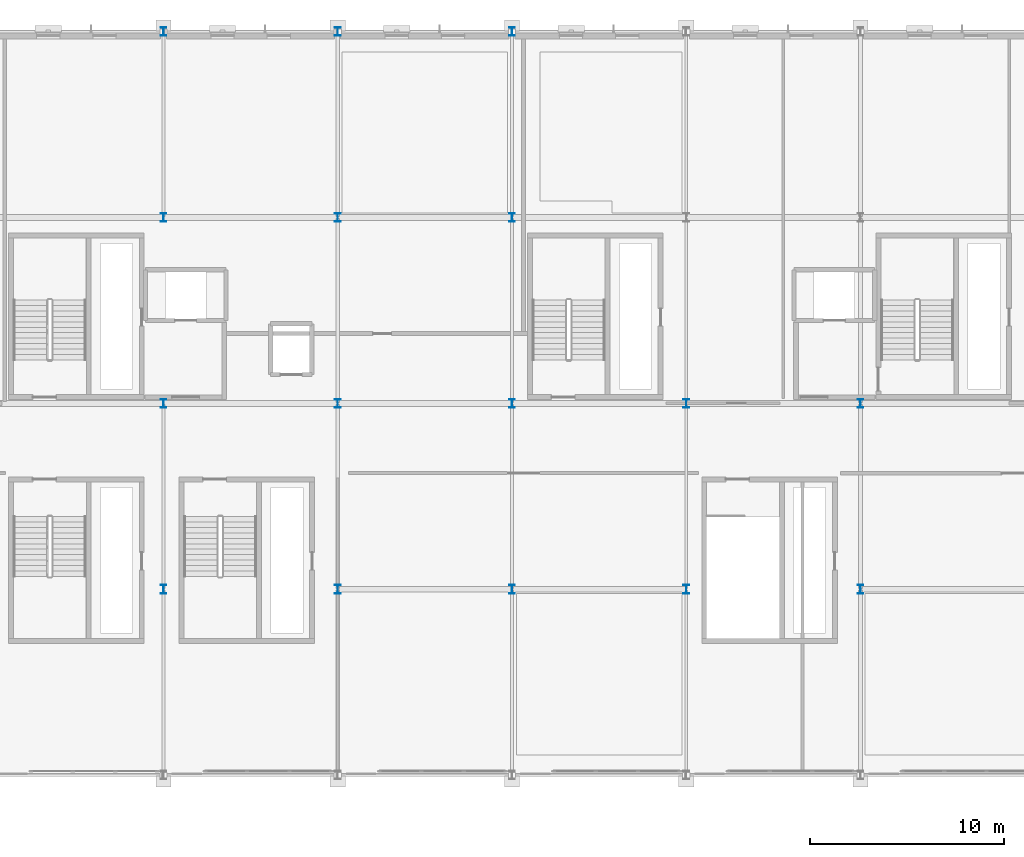
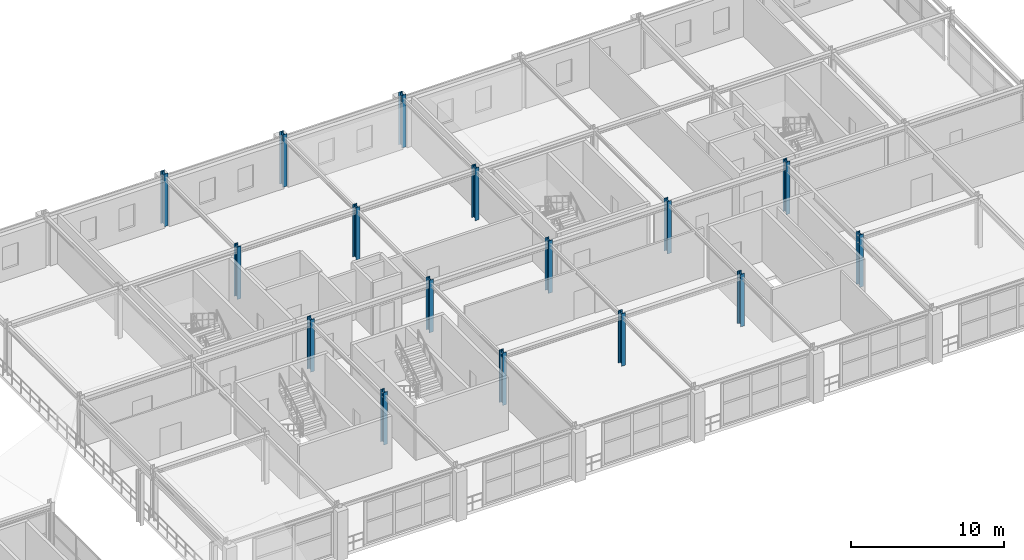
# One storey, part 14 of 81: 16 columns.
"""IFC4 building model written with IfcOpenShell, lengths in metres."""

from ifc_helpers import new_model, si_unit, direction, frame, origin, origin_2d, place, context, subcontext, project, spatial, i_section, extrude, material, material_profile, profile_set, type_object, element, save


model = new_model("IFC4")

# Units and contexts
model_context = context("Model", 3, precision=1e-05, world=origin(), true_north=direction((0.0, 1.0)))
body_context = subcontext(model_context, "Body", "Model", "MODEL_VIEW")
ifc_project = project(units=[si_unit("LENGTHUNIT", "METRE"), si_unit("AREAUNIT", "SQUARE_METRE"), si_unit("VOLUMEUNIT", "CUBIC_METRE"), si_unit("PLANEANGLEUNIT", "RADIAN"), si_unit("MASSUNIT", "GRAM", prefix="KILO")], contexts=[model_context])

# Site, building, storey
site_placement = place(None, origin())
site = spatial("IfcSite", under=ifc_project, at=site_placement, CompositionType="ELEMENT")
building_placement = place(site_placement, origin())
building = spatial("IfcBuilding", under=site, at=building_placement, Name="Myrtia Square Station", CompositionType="ELEMENT")
storey_placement = place(building_placement, frame((0.0, 0.0, 10.800048828125)))
storey = spatial("IfcBuildingStorey", under=building, at=storey_placement, Name="L02", CompositionType="ELEMENT", Elevation=10.800048828125)

# Columns
ifc_material = material(Name="Steel S355", Category="steel")
ifc_material_profile = material_profile(ifc_material, i_section(OverallWidth=0.300048828125, OverallDepth=0.449951171875, WebThickness=0.013916015625, FlangeThickness=0.02587890625, FilletRadius=0.027099609375, at=origin_2d()), Name="HEB 450")
ifc_profile_set = profile_set([ifc_material_profile], Name="Steel S355")
column_type = type_object("IfcColumnType", Name="COL-HEB450", PredefinedType="COLUMN", material=ifc_profile_set)
for number, where, z_axis, x_axis, name in (
    (1, (135.0, 96.0, 0.0), (0.0, 0.0, 1.0), (1.0, 0.0, 0.0), "Column L02-0818"),
    (2, (135.0, 105.60009765625, 0.0), (0.0, 0.0, 1.0), (1.0, 0.0, 0.0), "Column L02-0824"),
    (3, (135.0, 115.199951171875, 0.0), (0.0, 0.0, 1.0), (1.0, 0.0, 0.0), "Column L02-0830"),
    (4, (135.0, 124.800048828125, 0.0), (0.0, 0.0, 1.0), (1.0, 0.0, 0.0), "Column L02-0836"),
    (5, (144.0, 96.0, 0.0), (0.0, 0.0, 1.0), (1.0, 0.0, 0.0), "Column L02-0848"),
    (6, (144.0, 105.60009765625, 0.0), (0.0, 0.0, 1.0), (1.0, 0.0, 0.0), "Column L02-0854"),
    (7, (144.0, 115.199951171875, 0.0), (0.0, 0.0, 1.0), (1.0, 0.0, 0.0), "Column L02-0860"),
    (8, (144.0, 124.800048828125, 0.0), (0.0, 0.0, 1.0), (1.0, 0.0, 0.0), "Column L02-0866"),
    (9, (153.0, 96.0, 0.0), (0.0, 0.0, 1.0), (1.0, 0.0, 0.0), "Column L02-0877"),
    (10, (153.0, 105.60009765625, 0.0), (0.0, 0.0, 1.0), (1.0, 0.0, 0.0), "Column L02-0883"),
    (11, (153.0, 115.199951171875, 0.0), (0.0, 0.0, 1.0), (1.0, 0.0, 0.0), "Column L02-0889"),
    (12, (153.0, 124.800048828125, 0.0), (0.0, 0.0, 1.0), (1.0, 0.0, 0.0), "Column L02-0895"),
    (13, (162.0, 96.0, 0.0), (0.0, 0.0, 1.0), (1.0, 0.0, 0.0), "Column L02-0907"),
    (14, (162.0, 105.60009765625, 0.0), (0.0, 0.0, 1.0), (1.0, 0.0, 0.0), "Column L02-0913"),
    (15, (171.0, 96.0, 0.0), (0.0, 0.0, 1.0), (1.0, 0.0, 0.0), "Column L02-0937"),
    (16, (171.0, 105.60009765625, 0.0), (0.0, 0.0, 1.0), (1.0, 0.0, 0.0), "Column L02-0943"),
):
    element("IfcColumn", number, at=place(storey_placement, frame(where, z_axis=z_axis, x_axis=x_axis)), inside=storey, type_object=column_type, Name=name, PredefinedType="COLUMN", context=body_context, shape_type="SweptSolid", body=[
        extrude(i_section(OverallWidth=0.300048828125, OverallDepth=0.449951171875, WebThickness=0.013916015625, FlangeThickness=0.02587890625, FilletRadius=0.027099609375, at=origin_2d()), origin(), (0.0, 0.0, 1.0), 4.199951171875),
    ])

save(model, "model.ifc")
